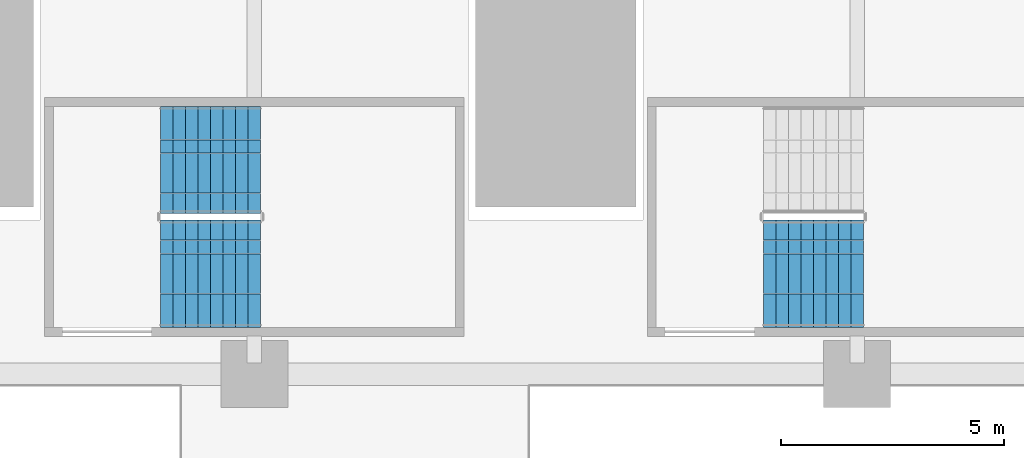
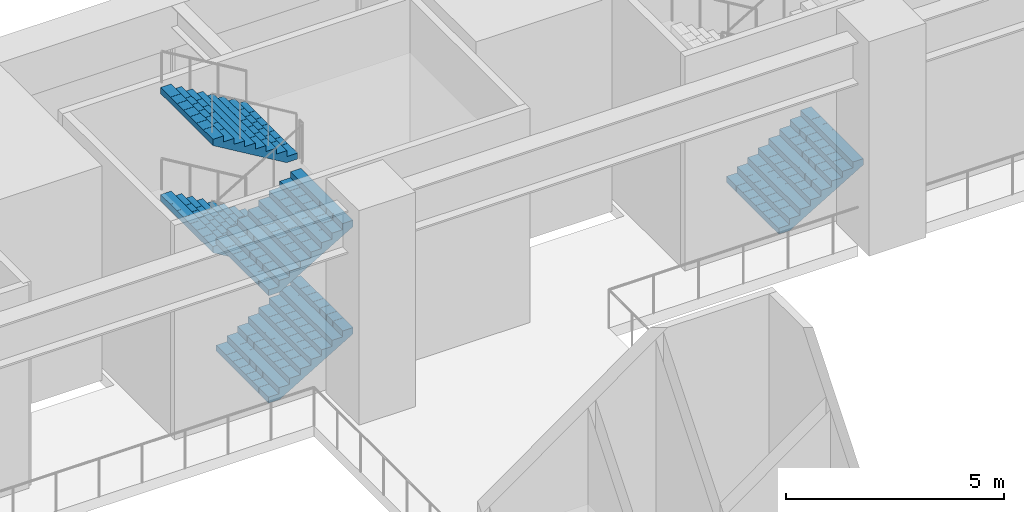
# One storey, part 31 of 43: 5 stair flights, 2 elements without a shape of their own.
"""IFC4 building model written with IfcOpenShell, lengths in metres."""

from ifc_helpers import new_model, si_unit, direction, frame, origin, place, context, subcontext, project, spatial, polyline, outline, extrude, material, type_object, element, aggregate, save


model = new_model("IFC4")

# Units and contexts
model_context = context("Model", 3, precision=1e-05, world=origin(), true_north=direction((0.0, 1.0)))
body_context = subcontext(model_context, "Body", "Model", "MODEL_VIEW")
ifc_project = project(units=[si_unit("LENGTHUNIT", "METRE"), si_unit("AREAUNIT", "SQUARE_METRE"), si_unit("VOLUMEUNIT", "CUBIC_METRE"), si_unit("PLANEANGLEUNIT", "RADIAN"), si_unit("MASSUNIT", "GRAM", prefix="KILO")], contexts=[model_context])

# Site, building, storey
site_placement = place(None, origin())
site = spatial("IfcSite", under=ifc_project, at=site_placement, CompositionType="ELEMENT")
building_placement = place(site_placement, origin())
building = spatial("IfcBuilding", under=site, at=building_placement, Name="Corbelhall Arena Tower", CompositionType="ELEMENT")
storey_placement = place(building_placement, frame((0.0, 0.0, 25.0)))
storey = spatial("IfcBuildingStorey", under=building, at=storey_placement, Name="L03", CompositionType="ELEMENT", Elevation=25.0)

# Stair, stair flights
ifc_material = material(Name="Reinforced concrete C40/50", Category="concrete")
stair_type = type_object("IfcStairType", Name="AR-EXIT-STAIR", PredefinedType="HALF_TURN_STAIR", material=ifc_material)
stair_1_placement = place(storey_placement, origin())
stair_1 = element("IfcStair", 1, at=stair_1_placement, inside=storey, type_object=stair_type, Name="L03 exit stair AS9", PredefinedType="HALF_TURN_STAIR")
stair_flight_type = type_object("IfcStairFlightType", Name="AR-EXIT-FLIGHT", PredefinedType="STRAIGHT", material=ifc_material)
stair_flight_1_placement = place(storey_placement, frame((-22.35009765625, 31.5, 0.0), z_axis=(0.0, 0.0, 1.0), x_axis=(1.0, 0.0, 0.0)))
stair_flight_1 = element("IfcStairFlight", 2, at=stair_flight_1_placement, type_object=stair_flight_type, Name="AS9 flight 1", NumberOfRisers=9, NumberOfTreads=8, PredefinedType="STRAIGHT", RiserHeight=0.166666667, TreadLength=0.28, context=body_context, shape_type="SweptSolid", body=[
    extrude(outline(polyline([(0.0, 0.0), (0.0, 0.166748046875), (0.280029296875, 0.166748046875), (0.280029296875, 0.333251953125), (0.56005859375, 0.333251953125), (0.56005859375, 0.5), (0.840087890625, 0.5), (0.840087890625, 0.666748046875), (1.1201171875, 0.666748046875), (1.1201171875, 0.833251953125), (1.39990234375, 0.833251953125), (1.39990234375, 1.0), (1.679931640625, 1.0), (1.679931640625, 1.166748046875), (1.9599609375, 1.166748046875), (1.9599609375, 1.333251953125), (2.239990234375, 1.333251953125), (2.239990234375, 1.5), (2.239990234375, 1.158935546875), (0.29296875, 0.0), (0.0, 0.0)])), frame((0.0, 1.199951171875, 0.0), z_axis=(0.0, -1.0, 0.0), x_axis=(1.0, 0.0, 0.0)), (0.0, 0.0, 1.0), 0.449951171875),
    extrude(outline(polyline([(0.0, 0.0), (0.0, 0.166748046875), (0.280029296875, 0.166748046875), (0.280029296875, 0.333251953125), (0.56005859375, 0.333251953125), (0.56005859375, 0.5), (0.840087890625, 0.5), (0.840087890625, 0.666748046875), (1.1201171875, 0.666748046875), (1.1201171875, 0.833251953125), (1.39990234375, 0.833251953125), (1.39990234375, 1.0), (1.679931640625, 1.0), (1.679931640625, 1.166748046875), (1.9599609375, 1.166748046875), (1.9599609375, 1.333251953125), (2.239990234375, 1.333251953125), (2.239990234375, 1.5), (2.239990234375, 1.158935546875), (0.29296875, 0.0), (0.0, 0.0)])), frame((0.0, 0.745849609375, 0.0), z_axis=(0.0, -1.0, 0.0), x_axis=(1.0, 0.0, 0.0)), (0.0, 0.0, 1.0), 0.295166015625),
    extrude(outline(polyline([(0.0, 0.0), (0.0, 0.166748046875), (0.280029296875, 0.166748046875), (0.280029296875, 0.333251953125), (0.56005859375, 0.333251953125), (0.56005859375, 0.5), (0.840087890625, 0.5), (0.840087890625, 0.666748046875), (1.1201171875, 0.666748046875), (1.1201171875, 0.833251953125), (1.39990234375, 0.833251953125), (1.39990234375, 1.0), (1.679931640625, 1.0), (1.679931640625, 1.166748046875), (1.9599609375, 1.166748046875), (1.9599609375, 1.333251953125), (2.239990234375, 1.333251953125), (2.239990234375, 1.5), (2.239990234375, 1.158935546875), (0.29296875, 0.0), (0.0, 0.0)])), frame((0.0, 0.44677734375, 0.0), z_axis=(0.0, -1.0, 0.0), x_axis=(1.0, 0.0, 0.0)), (0.0, 0.0, 1.0), 0.295166015625),
    extrude(outline(polyline([(0.0, 0.0), (0.0, 0.166748046875), (0.280029296875, 0.166748046875), (0.280029296875, 0.333251953125), (0.56005859375, 0.333251953125), (0.56005859375, 0.5), (0.840087890625, 0.5), (0.840087890625, 0.666748046875), (1.1201171875, 0.666748046875), (1.1201171875, 0.833251953125), (1.39990234375, 0.833251953125), (1.39990234375, 1.0), (1.679931640625, 1.0), (1.679931640625, 1.166748046875), (1.9599609375, 1.166748046875), (1.9599609375, 1.333251953125), (2.239990234375, 1.333251953125), (2.239990234375, 1.5), (2.239990234375, 1.158935546875), (0.29296875, 0.0), (0.0, 0.0)])), frame((0.0, 0.147705078125, 0.0), z_axis=(0.0, -1.0, 0.0), x_axis=(1.0, 0.0, 0.0)), (0.0, 0.0, 1.0), 0.295166015625),
    extrude(outline(polyline([(0.0, 0.0), (0.0, 0.166748046875), (0.280029296875, 0.166748046875), (0.280029296875, 0.333251953125), (0.56005859375, 0.333251953125), (0.56005859375, 0.5), (0.840087890625, 0.5), (0.840087890625, 0.666748046875), (1.1201171875, 0.666748046875), (1.1201171875, 0.833251953125), (1.39990234375, 0.833251953125), (1.39990234375, 1.0), (1.679931640625, 1.0), (1.679931640625, 1.166748046875), (1.9599609375, 1.166748046875), (1.9599609375, 1.333251953125), (2.239990234375, 1.333251953125), (2.239990234375, 1.5), (2.239990234375, 1.158935546875), (0.29296875, 0.0), (0.0, 0.0)])), frame((0.0, -0.151611328125, 0.0), z_axis=(0.0, -1.0, 0.0), x_axis=(1.0, 0.0, 0.0)), (0.0, 0.0, 1.0), 0.295166015625),
    extrude(outline(polyline([(0.0, 0.0), (0.0, 0.166748046875), (0.280029296875, 0.166748046875), (0.280029296875, 0.333251953125), (0.56005859375, 0.333251953125), (0.56005859375, 0.5), (0.840087890625, 0.5), (0.840087890625, 0.666748046875), (1.1201171875, 0.666748046875), (1.1201171875, 0.833251953125), (1.39990234375, 0.833251953125), (1.39990234375, 1.0), (1.679931640625, 1.0), (1.679931640625, 1.166748046875), (1.9599609375, 1.166748046875), (1.9599609375, 1.333251953125), (2.239990234375, 1.333251953125), (2.239990234375, 1.5), (2.239990234375, 1.158935546875), (0.29296875, 0.0), (0.0, 0.0)])), frame((0.0, -0.45068359375, 0.0), z_axis=(0.0, -1.0, 0.0), x_axis=(1.0, 0.0, 0.0)), (0.0, 0.0, 1.0), 0.295166015625),
    extrude(outline(polyline([(0.0, 0.0), (0.0, 0.166748046875), (0.280029296875, 0.166748046875), (0.280029296875, 0.333251953125), (0.56005859375, 0.333251953125), (0.56005859375, 0.5), (0.840087890625, 0.5), (0.840087890625, 0.666748046875), (1.1201171875, 0.666748046875), (1.1201171875, 0.833251953125), (1.39990234375, 0.833251953125), (1.39990234375, 1.0), (1.679931640625, 1.0), (1.679931640625, 1.166748046875), (1.9599609375, 1.166748046875), (1.9599609375, 1.333251953125), (2.239990234375, 1.333251953125), (2.239990234375, 1.5), (2.239990234375, 1.158935546875), (0.29296875, 0.0), (0.0, 0.0)])), frame((0.0, -0.75, 0.0), z_axis=(0.0, -1.0, 0.0), x_axis=(1.0, 0.0, 0.0)), (0.0, 0.0, 1.0), 0.449951171875),
])
stair_flight_2_placement = place(storey_placement, frame((-20.110107421875, 34.050048828125, 1.5), z_axis=(0.0, 0.0, 1.0), x_axis=(-1.0, 0.0, 0.0)))
stair_flight_2 = element("IfcStairFlight", 3, at=stair_flight_2_placement, type_object=stair_flight_type, Name="AS9 flight 2", NumberOfRisers=9, NumberOfTreads=8, PredefinedType="STRAIGHT", RiserHeight=0.166666667, TreadLength=0.28, context=body_context, shape_type="SweptSolid", body=[
    extrude(outline(polyline([(0.0, 0.0), (0.0, 0.166748046875), (0.280029296875, 0.166748046875), (0.280029296875, 0.333251953125), (0.56005859375, 0.333251953125), (0.56005859375, 0.5), (0.840087890625, 0.5), (0.840087890625, 0.666748046875), (1.1201171875, 0.666748046875), (1.1201171875, 0.833251953125), (1.39990234375, 0.833251953125), (1.39990234375, 1.0), (1.679931640625, 1.0), (1.679931640625, 1.166748046875), (1.9599609375, 1.166748046875), (1.9599609375, 1.333251953125), (2.239990234375, 1.333251953125), (2.239990234375, 1.5), (2.239990234375, 1.158935546875), (0.29296875, 0.0), (0.0, 0.0)])), frame((0.0, 1.199951171875, 0.0), z_axis=(0.0, -1.0, 0.0), x_axis=(1.0, 0.0, 0.0)), (0.0, 0.0, 1.0), 0.449951171875),
    extrude(outline(polyline([(0.0, 0.0), (0.0, 0.166748046875), (0.280029296875, 0.166748046875), (0.280029296875, 0.333251953125), (0.56005859375, 0.333251953125), (0.56005859375, 0.5), (0.840087890625, 0.5), (0.840087890625, 0.666748046875), (1.1201171875, 0.666748046875), (1.1201171875, 0.833251953125), (1.39990234375, 0.833251953125), (1.39990234375, 1.0), (1.679931640625, 1.0), (1.679931640625, 1.166748046875), (1.9599609375, 1.166748046875), (1.9599609375, 1.333251953125), (2.239990234375, 1.333251953125), (2.239990234375, 1.5), (2.239990234375, 1.158935546875), (0.29296875, 0.0), (0.0, 0.0)])), frame((0.0, 0.745849609375, 0.0), z_axis=(0.0, -1.0, 0.0), x_axis=(1.0, 0.0, 0.0)), (0.0, 0.0, 1.0), 0.295166015625),
    extrude(outline(polyline([(0.0, 0.0), (0.0, 0.166748046875), (0.280029296875, 0.166748046875), (0.280029296875, 0.333251953125), (0.56005859375, 0.333251953125), (0.56005859375, 0.5), (0.840087890625, 0.5), (0.840087890625, 0.666748046875), (1.1201171875, 0.666748046875), (1.1201171875, 0.833251953125), (1.39990234375, 0.833251953125), (1.39990234375, 1.0), (1.679931640625, 1.0), (1.679931640625, 1.166748046875), (1.9599609375, 1.166748046875), (1.9599609375, 1.333251953125), (2.239990234375, 1.333251953125), (2.239990234375, 1.5), (2.239990234375, 1.158935546875), (0.29296875, 0.0), (0.0, 0.0)])), frame((0.0, 0.44677734375, 0.0), z_axis=(0.0, -1.0, 0.0), x_axis=(1.0, 0.0, 0.0)), (0.0, 0.0, 1.0), 0.295166015625),
    extrude(outline(polyline([(0.0, 0.0), (0.0, 0.166748046875), (0.280029296875, 0.166748046875), (0.280029296875, 0.333251953125), (0.56005859375, 0.333251953125), (0.56005859375, 0.5), (0.840087890625, 0.5), (0.840087890625, 0.666748046875), (1.1201171875, 0.666748046875), (1.1201171875, 0.833251953125), (1.39990234375, 0.833251953125), (1.39990234375, 1.0), (1.679931640625, 1.0), (1.679931640625, 1.166748046875), (1.9599609375, 1.166748046875), (1.9599609375, 1.333251953125), (2.239990234375, 1.333251953125), (2.239990234375, 1.5), (2.239990234375, 1.158935546875), (0.29296875, 0.0), (0.0, 0.0)])), frame((0.0, 0.147705078125, 0.0), z_axis=(0.0, -1.0, 0.0), x_axis=(1.0, 0.0, 0.0)), (0.0, 0.0, 1.0), 0.295166015625),
    extrude(outline(polyline([(0.0, 0.0), (0.0, 0.166748046875), (0.280029296875, 0.166748046875), (0.280029296875, 0.333251953125), (0.56005859375, 0.333251953125), (0.56005859375, 0.5), (0.840087890625, 0.5), (0.840087890625, 0.666748046875), (1.1201171875, 0.666748046875), (1.1201171875, 0.833251953125), (1.39990234375, 0.833251953125), (1.39990234375, 1.0), (1.679931640625, 1.0), (1.679931640625, 1.166748046875), (1.9599609375, 1.166748046875), (1.9599609375, 1.333251953125), (2.239990234375, 1.333251953125), (2.239990234375, 1.5), (2.239990234375, 1.158935546875), (0.29296875, 0.0), (0.0, 0.0)])), frame((0.0, -0.151611328125, 0.0), z_axis=(0.0, -1.0, 0.0), x_axis=(1.0, 0.0, 0.0)), (0.0, 0.0, 1.0), 0.295166015625),
    extrude(outline(polyline([(0.0, 0.0), (0.0, 0.166748046875), (0.280029296875, 0.166748046875), (0.280029296875, 0.333251953125), (0.56005859375, 0.333251953125), (0.56005859375, 0.5), (0.840087890625, 0.5), (0.840087890625, 0.666748046875), (1.1201171875, 0.666748046875), (1.1201171875, 0.833251953125), (1.39990234375, 0.833251953125), (1.39990234375, 1.0), (1.679931640625, 1.0), (1.679931640625, 1.166748046875), (1.9599609375, 1.166748046875), (1.9599609375, 1.333251953125), (2.239990234375, 1.333251953125), (2.239990234375, 1.5), (2.239990234375, 1.158935546875), (0.29296875, 0.0), (0.0, 0.0)])), frame((0.0, -0.45068359375, 0.0), z_axis=(0.0, -1.0, 0.0), x_axis=(1.0, 0.0, 0.0)), (0.0, 0.0, 1.0), 0.295166015625),
    extrude(outline(polyline([(0.0, 0.0), (0.0, 0.166748046875), (0.280029296875, 0.166748046875), (0.280029296875, 0.333251953125), (0.56005859375, 0.333251953125), (0.56005859375, 0.5), (0.840087890625, 0.5), (0.840087890625, 0.666748046875), (1.1201171875, 0.666748046875), (1.1201171875, 0.833251953125), (1.39990234375, 0.833251953125), (1.39990234375, 1.0), (1.679931640625, 1.0), (1.679931640625, 1.166748046875), (1.9599609375, 1.166748046875), (1.9599609375, 1.333251953125), (2.239990234375, 1.333251953125), (2.239990234375, 1.5), (2.239990234375, 1.158935546875), (0.29296875, 0.0), (0.0, 0.0)])), frame((0.0, -0.75, 0.0), z_axis=(0.0, -1.0, 0.0), x_axis=(1.0, 0.0, 0.0)), (0.0, 0.0, 1.0), 0.449951171875),
])
stair_flight_3_placement = place(storey_placement, frame((-22.35009765625, 31.5, 3.0), z_axis=(0.0, 0.0, 1.0), x_axis=(1.0, 0.0, 0.0)))
stair_flight_3 = element("IfcStairFlight", 4, at=stair_flight_3_placement, type_object=stair_flight_type, Name="AS9 flight 3", NumberOfRisers=9, NumberOfTreads=8, PredefinedType="STRAIGHT", RiserHeight=0.166666667, TreadLength=0.28, context=body_context, shape_type="SweptSolid", body=[
    extrude(outline(polyline([(0.0, 0.0), (0.0, 0.166748046875), (0.280029296875, 0.166748046875), (0.280029296875, 0.333251953125), (0.56005859375, 0.333251953125), (0.56005859375, 0.5), (0.840087890625, 0.5), (0.840087890625, 0.666748046875), (1.1201171875, 0.666748046875), (1.1201171875, 0.833251953125), (1.39990234375, 0.833251953125), (1.39990234375, 1.0), (1.679931640625, 1.0), (1.679931640625, 1.166748046875), (1.9599609375, 1.166748046875), (1.9599609375, 1.333251953125), (2.239990234375, 1.333251953125), (2.239990234375, 1.5), (2.239990234375, 1.158935546875), (0.29296875, 0.0), (0.0, 0.0)])), frame((0.0, 1.199951171875, 0.0), z_axis=(0.0, -1.0, 0.0), x_axis=(1.0, 0.0, 0.0)), (0.0, 0.0, 1.0), 0.449951171875),
    extrude(outline(polyline([(0.0, 0.0), (0.0, 0.166748046875), (0.280029296875, 0.166748046875), (0.280029296875, 0.333251953125), (0.56005859375, 0.333251953125), (0.56005859375, 0.5), (0.840087890625, 0.5), (0.840087890625, 0.666748046875), (1.1201171875, 0.666748046875), (1.1201171875, 0.833251953125), (1.39990234375, 0.833251953125), (1.39990234375, 1.0), (1.679931640625, 1.0), (1.679931640625, 1.166748046875), (1.9599609375, 1.166748046875), (1.9599609375, 1.333251953125), (2.239990234375, 1.333251953125), (2.239990234375, 1.5), (2.239990234375, 1.158935546875), (0.29296875, 0.0), (0.0, 0.0)])), frame((0.0, 0.745849609375, 0.0), z_axis=(0.0, -1.0, 0.0), x_axis=(1.0, 0.0, 0.0)), (0.0, 0.0, 1.0), 0.295166015625),
    extrude(outline(polyline([(0.0, 0.0), (0.0, 0.166748046875), (0.280029296875, 0.166748046875), (0.280029296875, 0.333251953125), (0.56005859375, 0.333251953125), (0.56005859375, 0.5), (0.840087890625, 0.5), (0.840087890625, 0.666748046875), (1.1201171875, 0.666748046875), (1.1201171875, 0.833251953125), (1.39990234375, 0.833251953125), (1.39990234375, 1.0), (1.679931640625, 1.0), (1.679931640625, 1.166748046875), (1.9599609375, 1.166748046875), (1.9599609375, 1.333251953125), (2.239990234375, 1.333251953125), (2.239990234375, 1.5), (2.239990234375, 1.158935546875), (0.29296875, 0.0), (0.0, 0.0)])), frame((0.0, 0.44677734375, 0.0), z_axis=(0.0, -1.0, 0.0), x_axis=(1.0, 0.0, 0.0)), (0.0, 0.0, 1.0), 0.295166015625),
    extrude(outline(polyline([(0.0, 0.0), (0.0, 0.166748046875), (0.280029296875, 0.166748046875), (0.280029296875, 0.333251953125), (0.56005859375, 0.333251953125), (0.56005859375, 0.5), (0.840087890625, 0.5), (0.840087890625, 0.666748046875), (1.1201171875, 0.666748046875), (1.1201171875, 0.833251953125), (1.39990234375, 0.833251953125), (1.39990234375, 1.0), (1.679931640625, 1.0), (1.679931640625, 1.166748046875), (1.9599609375, 1.166748046875), (1.9599609375, 1.333251953125), (2.239990234375, 1.333251953125), (2.239990234375, 1.5), (2.239990234375, 1.158935546875), (0.29296875, 0.0), (0.0, 0.0)])), frame((0.0, 0.147705078125, 0.0), z_axis=(0.0, -1.0, 0.0), x_axis=(1.0, 0.0, 0.0)), (0.0, 0.0, 1.0), 0.295166015625),
    extrude(outline(polyline([(0.0, 0.0), (0.0, 0.166748046875), (0.280029296875, 0.166748046875), (0.280029296875, 0.333251953125), (0.56005859375, 0.333251953125), (0.56005859375, 0.5), (0.840087890625, 0.5), (0.840087890625, 0.666748046875), (1.1201171875, 0.666748046875), (1.1201171875, 0.833251953125), (1.39990234375, 0.833251953125), (1.39990234375, 1.0), (1.679931640625, 1.0), (1.679931640625, 1.166748046875), (1.9599609375, 1.166748046875), (1.9599609375, 1.333251953125), (2.239990234375, 1.333251953125), (2.239990234375, 1.5), (2.239990234375, 1.158935546875), (0.29296875, 0.0), (0.0, 0.0)])), frame((0.0, -0.151611328125, 0.0), z_axis=(0.0, -1.0, 0.0), x_axis=(1.0, 0.0, 0.0)), (0.0, 0.0, 1.0), 0.295166015625),
    extrude(outline(polyline([(0.0, 0.0), (0.0, 0.166748046875), (0.280029296875, 0.166748046875), (0.280029296875, 0.333251953125), (0.56005859375, 0.333251953125), (0.56005859375, 0.5), (0.840087890625, 0.5), (0.840087890625, 0.666748046875), (1.1201171875, 0.666748046875), (1.1201171875, 0.833251953125), (1.39990234375, 0.833251953125), (1.39990234375, 1.0), (1.679931640625, 1.0), (1.679931640625, 1.166748046875), (1.9599609375, 1.166748046875), (1.9599609375, 1.333251953125), (2.239990234375, 1.333251953125), (2.239990234375, 1.5), (2.239990234375, 1.158935546875), (0.29296875, 0.0), (0.0, 0.0)])), frame((0.0, -0.45068359375, 0.0), z_axis=(0.0, -1.0, 0.0), x_axis=(1.0, 0.0, 0.0)), (0.0, 0.0, 1.0), 0.295166015625),
    extrude(outline(polyline([(0.0, 0.0), (0.0, 0.166748046875), (0.280029296875, 0.166748046875), (0.280029296875, 0.333251953125), (0.56005859375, 0.333251953125), (0.56005859375, 0.5), (0.840087890625, 0.5), (0.840087890625, 0.666748046875), (1.1201171875, 0.666748046875), (1.1201171875, 0.833251953125), (1.39990234375, 0.833251953125), (1.39990234375, 1.0), (1.679931640625, 1.0), (1.679931640625, 1.166748046875), (1.9599609375, 1.166748046875), (1.9599609375, 1.333251953125), (2.239990234375, 1.333251953125), (2.239990234375, 1.5), (2.239990234375, 1.158935546875), (0.29296875, 0.0), (0.0, 0.0)])), frame((0.0, -0.75, 0.0), z_axis=(0.0, -1.0, 0.0), x_axis=(1.0, 0.0, 0.0)), (0.0, 0.0, 1.0), 0.449951171875),
])
stair_flight_4_placement = place(storey_placement, frame((-20.110107421875, 34.050048828125, 4.5), z_axis=(0.0, 0.0, 1.0), x_axis=(-1.0, 0.0, 0.0)))
stair_flight_4 = element("IfcStairFlight", 5, at=stair_flight_4_placement, type_object=stair_flight_type, Name="AS9 flight 4", NumberOfRisers=9, NumberOfTreads=8, PredefinedType="STRAIGHT", RiserHeight=0.166666667, TreadLength=0.28, context=body_context, shape_type="SweptSolid", body=[
    extrude(outline(polyline([(0.0, 0.0), (0.0, 0.166748046875), (0.280029296875, 0.166748046875), (0.280029296875, 0.333251953125), (0.56005859375, 0.333251953125), (0.56005859375, 0.5), (0.840087890625, 0.5), (0.840087890625, 0.666748046875), (1.1201171875, 0.666748046875), (1.1201171875, 0.833251953125), (1.39990234375, 0.833251953125), (1.39990234375, 1.0), (1.679931640625, 1.0), (1.679931640625, 1.166748046875), (1.9599609375, 1.166748046875), (1.9599609375, 1.333251953125), (2.239990234375, 1.333251953125), (2.239990234375, 1.5), (2.239990234375, 1.158935546875), (0.29296875, 0.0), (0.0, 0.0)])), frame((0.0, 1.199951171875, 0.0), z_axis=(0.0, -1.0, 0.0), x_axis=(1.0, 0.0, 0.0)), (0.0, 0.0, 1.0), 0.449951171875),
    extrude(outline(polyline([(0.0, 0.0), (0.0, 0.166748046875), (0.280029296875, 0.166748046875), (0.280029296875, 0.333251953125), (0.56005859375, 0.333251953125), (0.56005859375, 0.5), (0.840087890625, 0.5), (0.840087890625, 0.666748046875), (1.1201171875, 0.666748046875), (1.1201171875, 0.833251953125), (1.39990234375, 0.833251953125), (1.39990234375, 1.0), (1.679931640625, 1.0), (1.679931640625, 1.166748046875), (1.9599609375, 1.166748046875), (1.9599609375, 1.333251953125), (2.239990234375, 1.333251953125), (2.239990234375, 1.5), (2.239990234375, 1.158935546875), (0.29296875, 0.0), (0.0, 0.0)])), frame((0.0, 0.745849609375, 0.0), z_axis=(0.0, -1.0, 0.0), x_axis=(1.0, 0.0, 0.0)), (0.0, 0.0, 1.0), 0.295166015625),
    extrude(outline(polyline([(0.0, 0.0), (0.0, 0.166748046875), (0.280029296875, 0.166748046875), (0.280029296875, 0.333251953125), (0.56005859375, 0.333251953125), (0.56005859375, 0.5), (0.840087890625, 0.5), (0.840087890625, 0.666748046875), (1.1201171875, 0.666748046875), (1.1201171875, 0.833251953125), (1.39990234375, 0.833251953125), (1.39990234375, 1.0), (1.679931640625, 1.0), (1.679931640625, 1.166748046875), (1.9599609375, 1.166748046875), (1.9599609375, 1.333251953125), (2.239990234375, 1.333251953125), (2.239990234375, 1.5), (2.239990234375, 1.158935546875), (0.29296875, 0.0), (0.0, 0.0)])), frame((0.0, 0.44677734375, 0.0), z_axis=(0.0, -1.0, 0.0), x_axis=(1.0, 0.0, 0.0)), (0.0, 0.0, 1.0), 0.295166015625),
    extrude(outline(polyline([(0.0, 0.0), (0.0, 0.166748046875), (0.280029296875, 0.166748046875), (0.280029296875, 0.333251953125), (0.56005859375, 0.333251953125), (0.56005859375, 0.5), (0.840087890625, 0.5), (0.840087890625, 0.666748046875), (1.1201171875, 0.666748046875), (1.1201171875, 0.833251953125), (1.39990234375, 0.833251953125), (1.39990234375, 1.0), (1.679931640625, 1.0), (1.679931640625, 1.166748046875), (1.9599609375, 1.166748046875), (1.9599609375, 1.333251953125), (2.239990234375, 1.333251953125), (2.239990234375, 1.5), (2.239990234375, 1.158935546875), (0.29296875, 0.0), (0.0, 0.0)])), frame((0.0, 0.147705078125, 0.0), z_axis=(0.0, -1.0, 0.0), x_axis=(1.0, 0.0, 0.0)), (0.0, 0.0, 1.0), 0.295166015625),
    extrude(outline(polyline([(0.0, 0.0), (0.0, 0.166748046875), (0.280029296875, 0.166748046875), (0.280029296875, 0.333251953125), (0.56005859375, 0.333251953125), (0.56005859375, 0.5), (0.840087890625, 0.5), (0.840087890625, 0.666748046875), (1.1201171875, 0.666748046875), (1.1201171875, 0.833251953125), (1.39990234375, 0.833251953125), (1.39990234375, 1.0), (1.679931640625, 1.0), (1.679931640625, 1.166748046875), (1.9599609375, 1.166748046875), (1.9599609375, 1.333251953125), (2.239990234375, 1.333251953125), (2.239990234375, 1.5), (2.239990234375, 1.158935546875), (0.29296875, 0.0), (0.0, 0.0)])), frame((0.0, -0.151611328125, 0.0), z_axis=(0.0, -1.0, 0.0), x_axis=(1.0, 0.0, 0.0)), (0.0, 0.0, 1.0), 0.295166015625),
    extrude(outline(polyline([(0.0, 0.0), (0.0, 0.166748046875), (0.280029296875, 0.166748046875), (0.280029296875, 0.333251953125), (0.56005859375, 0.333251953125), (0.56005859375, 0.5), (0.840087890625, 0.5), (0.840087890625, 0.666748046875), (1.1201171875, 0.666748046875), (1.1201171875, 0.833251953125), (1.39990234375, 0.833251953125), (1.39990234375, 1.0), (1.679931640625, 1.0), (1.679931640625, 1.166748046875), (1.9599609375, 1.166748046875), (1.9599609375, 1.333251953125), (2.239990234375, 1.333251953125), (2.239990234375, 1.5), (2.239990234375, 1.158935546875), (0.29296875, 0.0), (0.0, 0.0)])), frame((0.0, -0.45068359375, 0.0), z_axis=(0.0, -1.0, 0.0), x_axis=(1.0, 0.0, 0.0)), (0.0, 0.0, 1.0), 0.295166015625),
    extrude(outline(polyline([(0.0, 0.0), (0.0, 0.166748046875), (0.280029296875, 0.166748046875), (0.280029296875, 0.333251953125), (0.56005859375, 0.333251953125), (0.56005859375, 0.5), (0.840087890625, 0.5), (0.840087890625, 0.666748046875), (1.1201171875, 0.666748046875), (1.1201171875, 0.833251953125), (1.39990234375, 0.833251953125), (1.39990234375, 1.0), (1.679931640625, 1.0), (1.679931640625, 1.166748046875), (1.9599609375, 1.166748046875), (1.9599609375, 1.333251953125), (2.239990234375, 1.333251953125), (2.239990234375, 1.5), (2.239990234375, 1.158935546875), (0.29296875, 0.0), (0.0, 0.0)])), frame((0.0, -0.75, 0.0), z_axis=(0.0, -1.0, 0.0), x_axis=(1.0, 0.0, 0.0)), (0.0, 0.0, 1.0), 0.449951171875),
])
aggregate(stair_1, [stair_flight_1, stair_flight_2, stair_flight_3, stair_flight_4])

# Stair, stair flight
stair_2_placement = place(storey_placement, origin())
stair_2 = element("IfcStair", 6, at=stair_2_placement, inside=storey, type_object=stair_type, Name="L03 exit stair AS10", PredefinedType="HALF_TURN_STAIR")
stair_flight_5_placement = place(storey_placement, frame((-8.85009765625, 31.5, 0.0), z_axis=(0.0, 0.0, 1.0), x_axis=(1.0, 0.0, 0.0)))
stair_flight_5 = element("IfcStairFlight", 7, at=stair_flight_5_placement, type_object=stair_flight_type, Name="AS10 flight 1", NumberOfRisers=9, NumberOfTreads=8, PredefinedType="STRAIGHT", RiserHeight=0.166666667, TreadLength=0.28, context=body_context, shape_type="SweptSolid", body=[
    extrude(outline(polyline([(0.0, 0.0), (0.0, 0.166748046875), (0.280029296875, 0.166748046875), (0.280029296875, 0.333251953125), (0.56005859375, 0.333251953125), (0.56005859375, 0.5), (0.840087890625, 0.5), (0.840087890625, 0.666748046875), (1.1201171875, 0.666748046875), (1.1201171875, 0.833251953125), (1.39990234375, 0.833251953125), (1.39990234375, 1.0), (1.679931640625, 1.0), (1.679931640625, 1.166748046875), (1.9599609375, 1.166748046875), (1.9599609375, 1.333251953125), (2.239990234375, 1.333251953125), (2.239990234375, 1.5), (2.239990234375, 1.158935546875), (0.29296875, 0.0), (0.0, 0.0)])), frame((0.0, 1.199951171875, 0.0), z_axis=(0.0, -1.0, 0.0), x_axis=(1.0, 0.0, 0.0)), (0.0, 0.0, 1.0), 0.449951171875),
    extrude(outline(polyline([(0.0, 0.0), (0.0, 0.166748046875), (0.280029296875, 0.166748046875), (0.280029296875, 0.333251953125), (0.56005859375, 0.333251953125), (0.56005859375, 0.5), (0.840087890625, 0.5), (0.840087890625, 0.666748046875), (1.1201171875, 0.666748046875), (1.1201171875, 0.833251953125), (1.39990234375, 0.833251953125), (1.39990234375, 1.0), (1.679931640625, 1.0), (1.679931640625, 1.166748046875), (1.9599609375, 1.166748046875), (1.9599609375, 1.333251953125), (2.239990234375, 1.333251953125), (2.239990234375, 1.5), (2.239990234375, 1.158935546875), (0.29296875, 0.0), (0.0, 0.0)])), frame((0.0, 0.745849609375, 0.0), z_axis=(0.0, -1.0, 0.0), x_axis=(1.0, 0.0, 0.0)), (0.0, 0.0, 1.0), 0.295166015625),
    extrude(outline(polyline([(0.0, 0.0), (0.0, 0.166748046875), (0.280029296875, 0.166748046875), (0.280029296875, 0.333251953125), (0.56005859375, 0.333251953125), (0.56005859375, 0.5), (0.840087890625, 0.5), (0.840087890625, 0.666748046875), (1.1201171875, 0.666748046875), (1.1201171875, 0.833251953125), (1.39990234375, 0.833251953125), (1.39990234375, 1.0), (1.679931640625, 1.0), (1.679931640625, 1.166748046875), (1.9599609375, 1.166748046875), (1.9599609375, 1.333251953125), (2.239990234375, 1.333251953125), (2.239990234375, 1.5), (2.239990234375, 1.158935546875), (0.29296875, 0.0), (0.0, 0.0)])), frame((0.0, 0.44677734375, 0.0), z_axis=(0.0, -1.0, 0.0), x_axis=(1.0, 0.0, 0.0)), (0.0, 0.0, 1.0), 0.295166015625),
    extrude(outline(polyline([(0.0, 0.0), (0.0, 0.166748046875), (0.280029296875, 0.166748046875), (0.280029296875, 0.333251953125), (0.56005859375, 0.333251953125), (0.56005859375, 0.5), (0.840087890625, 0.5), (0.840087890625, 0.666748046875), (1.1201171875, 0.666748046875), (1.1201171875, 0.833251953125), (1.39990234375, 0.833251953125), (1.39990234375, 1.0), (1.679931640625, 1.0), (1.679931640625, 1.166748046875), (1.9599609375, 1.166748046875), (1.9599609375, 1.333251953125), (2.239990234375, 1.333251953125), (2.239990234375, 1.5), (2.239990234375, 1.158935546875), (0.29296875, 0.0), (0.0, 0.0)])), frame((0.0, 0.147705078125, 0.0), z_axis=(0.0, -1.0, 0.0), x_axis=(1.0, 0.0, 0.0)), (0.0, 0.0, 1.0), 0.295166015625),
    extrude(outline(polyline([(0.0, 0.0), (0.0, 0.166748046875), (0.280029296875, 0.166748046875), (0.280029296875, 0.333251953125), (0.56005859375, 0.333251953125), (0.56005859375, 0.5), (0.840087890625, 0.5), (0.840087890625, 0.666748046875), (1.1201171875, 0.666748046875), (1.1201171875, 0.833251953125), (1.39990234375, 0.833251953125), (1.39990234375, 1.0), (1.679931640625, 1.0), (1.679931640625, 1.166748046875), (1.9599609375, 1.166748046875), (1.9599609375, 1.333251953125), (2.239990234375, 1.333251953125), (2.239990234375, 1.5), (2.239990234375, 1.158935546875), (0.29296875, 0.0), (0.0, 0.0)])), frame((0.0, -0.151611328125, 0.0), z_axis=(0.0, -1.0, 0.0), x_axis=(1.0, 0.0, 0.0)), (0.0, 0.0, 1.0), 0.295166015625),
    extrude(outline(polyline([(0.0, 0.0), (0.0, 0.166748046875), (0.280029296875, 0.166748046875), (0.280029296875, 0.333251953125), (0.56005859375, 0.333251953125), (0.56005859375, 0.5), (0.840087890625, 0.5), (0.840087890625, 0.666748046875), (1.1201171875, 0.666748046875), (1.1201171875, 0.833251953125), (1.39990234375, 0.833251953125), (1.39990234375, 1.0), (1.679931640625, 1.0), (1.679931640625, 1.166748046875), (1.9599609375, 1.166748046875), (1.9599609375, 1.333251953125), (2.239990234375, 1.333251953125), (2.239990234375, 1.5), (2.239990234375, 1.158935546875), (0.29296875, 0.0), (0.0, 0.0)])), frame((0.0, -0.45068359375, 0.0), z_axis=(0.0, -1.0, 0.0), x_axis=(1.0, 0.0, 0.0)), (0.0, 0.0, 1.0), 0.295166015625),
    extrude(outline(polyline([(0.0, 0.0), (0.0, 0.166748046875), (0.280029296875, 0.166748046875), (0.280029296875, 0.333251953125), (0.56005859375, 0.333251953125), (0.56005859375, 0.5), (0.840087890625, 0.5), (0.840087890625, 0.666748046875), (1.1201171875, 0.666748046875), (1.1201171875, 0.833251953125), (1.39990234375, 0.833251953125), (1.39990234375, 1.0), (1.679931640625, 1.0), (1.679931640625, 1.166748046875), (1.9599609375, 1.166748046875), (1.9599609375, 1.333251953125), (2.239990234375, 1.333251953125), (2.239990234375, 1.5), (2.239990234375, 1.158935546875), (0.29296875, 0.0), (0.0, 0.0)])), frame((0.0, -0.75, 0.0), z_axis=(0.0, -1.0, 0.0), x_axis=(1.0, 0.0, 0.0)), (0.0, 0.0, 1.0), 0.449951171875),
])
aggregate(stair_2, [stair_flight_5])

save(model, "model.ifc")
